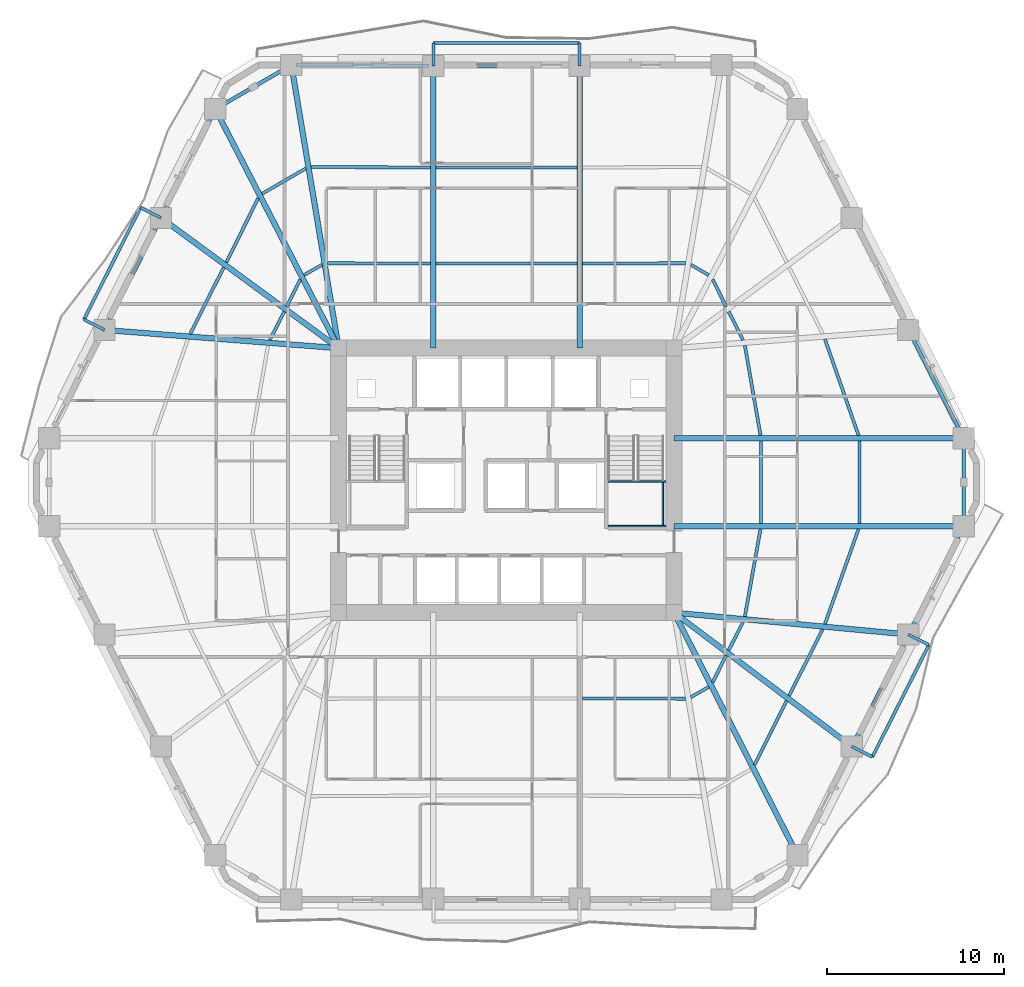
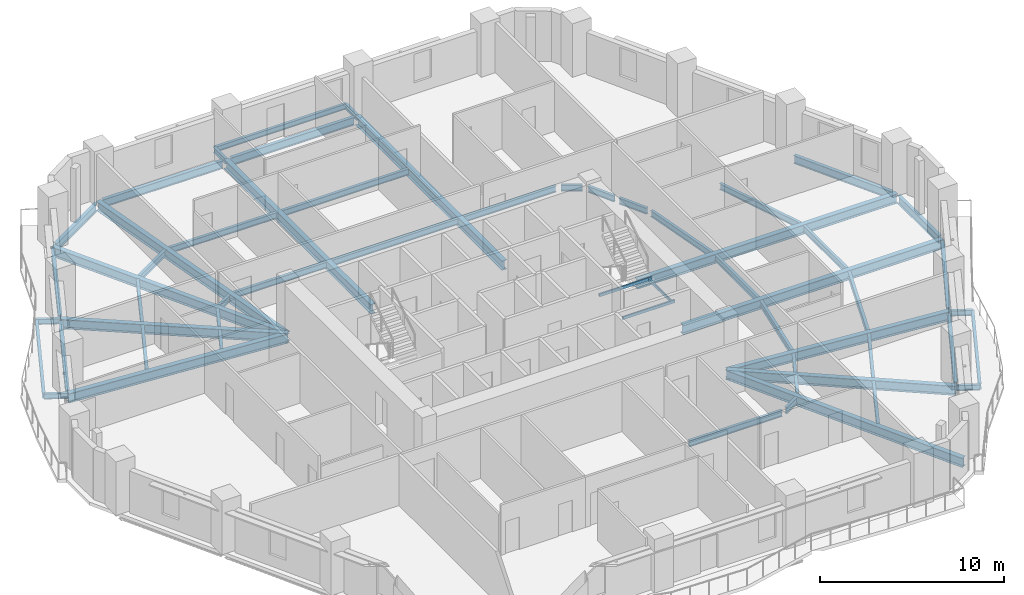
# One storey, part 2 of 14: 58 beams.
"""IFC4 building model written with IfcOpenShell, lengths in metres."""

from ifc_helpers import new_model, si_unit, direction, frame, origin, origin_2d, place, context, subcontext, project, spatial, hollow_rectangle, i_section, extrude, material, material_profile, profile_set, type_object, element, save


model = new_model("IFC4")

# Units and contexts
model_context = context("Model", 3, precision=1e-05, world=origin(), true_north=direction((0.0, 1.0)))
body_context = subcontext(model_context, "Body", "Model", "MODEL_VIEW")
ifc_project = project(units=[si_unit("LENGTHUNIT", "METRE"), si_unit("AREAUNIT", "SQUARE_METRE"), si_unit("VOLUMEUNIT", "CUBIC_METRE"), si_unit("PLANEANGLEUNIT", "RADIAN"), si_unit("MASSUNIT", "GRAM", prefix="KILO")], contexts=[model_context])

# Site, building, storey
site_placement = place(None, origin())
site = spatial("IfcSite", under=ifc_project, at=site_placement, CompositionType="ELEMENT")
building_placement = place(site_placement, origin())
building = spatial("IfcBuilding", under=site, at=building_placement, Name="Cinnabar Lancet Tower", CompositionType="ELEMENT")
storey_placement = place(building_placement, frame((0.0, 0.0, 53.300048828125)))
storey = spatial("IfcBuildingStorey", under=building, at=storey_placement, Name="L13", CompositionType="ELEMENT", Elevation=53.300048828125)

# Beams
ifc_material_1 = material(Name="Structural steel S355", Category="steel")
ifc_material_profile_1 = material_profile(ifc_material_1, i_section(OverallWidth=0.177978515625, OverallDepth=0.406494140625, WebThickness=0.0078125, FlangeThickness=0.0126953125, FilletRadius=0.01025390625, at=origin_2d()), Name="UKB 406x178x60")
ifc_profile_set_1 = profile_set([ifc_material_profile_1], Name="Structural steel S355")
beam_type_1 = type_object("IfcBeamType", Name="STR-BM-JST-406", PredefinedType="JOIST", material=ifc_profile_set_1)
beam_1_placement = place(storey_placement, frame((36.676025390625, 13.616943359375, -0.423095703125), z_axis=(0.999996723732, -0.002559790187, 0.0), x_axis=(0.002559790187, 0.999996723732, 0.0)))
element("IfcBeam", 1, at=beam_1_placement, inside=storey, type_object=beam_type_1, Name="L13 Secondary Floor Joist 14", PredefinedType="JOIST", context=body_context, shape_type="SweptSolid", body=[
    extrude(i_section(OverallWidth=0.177978515625, OverallDepth=0.406494140625, WebThickness=0.0078125, FlangeThickness=0.0126953125, FilletRadius=0.01025390625, at=origin_2d()), origin(), (0.0, 0.0, 1.0), 5.81787109375),
])
beam_2_placement = place(storey_placement, frame((42.7919921875, 13.68408203125, -0.423095703125), z_axis=(0.865192550274, 0.50143977799, 0.0), x_axis=(-0.50143977799, 0.865192550274, 0.0)))
element("IfcBeam", 2, at=beam_2_placement, inside=storey, type_object=beam_type_1, Name="L13 Secondary Floor Joist 16", PredefinedType="JOIST", context=body_context, shape_type="SweptSolid", body=[
    extrude(i_section(OverallWidth=0.177978515625, OverallDepth=0.406494140625, WebThickness=0.0078125, FlangeThickness=0.0126953125, FilletRadius=0.01025390625, at=origin_2d()), origin(), (0.0, 0.0, 1.0), 1.16845703125),
])
beam_3_placement = place(storey_placement, frame((46.385009765625, 9.867919921875, -0.423095703125), z_axis=(0.445835127839, 0.895115098065, 0.0), x_axis=(-0.895115098065, 0.445835127839, 0.0)))
element("IfcBeam", 3, at=beam_3_placement, inside=storey, type_object=beam_type_1, Name="L13 Secondary Floor Joist 17", PredefinedType="JOIST", context=body_context, shape_type="SweptSolid", body=[
    extrude(i_section(OverallWidth=0.177978515625, OverallDepth=0.406494140625, WebThickness=0.0078125, FlangeThickness=0.0126953125, FilletRadius=0.01025390625, at=origin_2d()), origin(), (0.0, 0.0, 1.0), 4.03955078125),
])
beam_4_placement = place(storey_placement, frame((44.02099609375, 14.51806640625, -0.423095703125), z_axis=(0.44578468599, 0.895140220154, 0.0), x_axis=(-0.895140220154, 0.44578468599, 0.0)))
element("IfcBeam", 4, at=beam_4_placement, inside=storey, type_object=beam_type_1, Name="L13 Secondary Floor Joist 18", PredefinedType="JOIST", context=body_context, shape_type="SweptSolid", body=[
    extrude(i_section(OverallWidth=0.177978515625, OverallDepth=0.406494140625, WebThickness=0.0078125, FlangeThickness=0.0126953125, FilletRadius=0.01025390625, at=origin_2d()), origin(), (0.0, 0.0, 1.0), 1.709228515625),
])
beam_5_placement = place(storey_placement, frame((48.325927734375, 13.762939453125, -0.423095703125), z_axis=(0.450717414682, 0.892666685893, 0.0), x_axis=(-0.892666685893, 0.450717414682, 0.0)))
element("IfcBeam", 5, at=beam_5_placement, inside=storey, type_object=beam_type_1, Name="L13 Secondary Floor Joist 19", PredefinedType="JOIST", context=body_context, shape_type="SweptSolid", body=[
    extrude(i_section(OverallWidth=0.177978515625, OverallDepth=0.406494140625, WebThickness=0.0078125, FlangeThickness=0.0126953125, FilletRadius=0.01025390625, at=origin_2d()), origin(), (0.0, 0.0, 1.0), 4.204345703125),
])
beam_6_placement = place(storey_placement, frame((44.923095703125, 16.326904296875, -0.423095703125), z_axis=(0.450411488104, 0.892821085875, 0.0), x_axis=(-0.892821085875, 0.450411488104, 0.0)))
element("IfcBeam", 6, at=beam_6_placement, inside=storey, type_object=beam_type_1, Name="L13 Secondary Floor Joist 20", PredefinedType="JOIST", context=body_context, shape_type="SweptSolid", body=[
    extrude(i_section(OverallWidth=0.177978515625, OverallDepth=0.406494140625, WebThickness=0.0078125, FlangeThickness=0.0126953125, FilletRadius=0.01025390625, at=origin_2d()), origin(), (0.0, 0.0, 1.0), 1.800048828125),
])
beam_7_placement = place(storey_placement, frame((50.347900390625, 17.81201171875, -0.423095703125), z_axis=(0.333387390151, 0.942789927867, 0.0), x_axis=(-0.942789927867, 0.333387390151, 0.0)))
element("IfcBeam", 7, at=beam_7_placement, inside=storey, type_object=beam_type_1, Name="L13 Secondary Floor Joist 21", PredefinedType="JOIST", context=body_context, shape_type="SweptSolid", body=[
    extrude(i_section(OverallWidth=0.177978515625, OverallDepth=0.406494140625, WebThickness=0.0078125, FlangeThickness=0.0126953125, FilletRadius=0.01025390625, at=origin_2d()), origin(), (0.0, 0.0, 1.0), 5.67236328125),
])
beam_8_placement = place(storey_placement, frame((45.8359375, 18.23291015625, -0.423095703125), z_axis=(0.176227857104, 0.984349400559, 0.0), x_axis=(-0.984349400559, 0.176227857104, 0.0)))
element("IfcBeam", 8, at=beam_8_placement, inside=storey, type_object=beam_type_1, Name="L13 Secondary Floor Joist 22", PredefinedType="JOIST", context=body_context, shape_type="SweptSolid", body=[
    extrude(i_section(OverallWidth=0.177978515625, OverallDepth=0.406494140625, WebThickness=0.0078125, FlangeThickness=0.0126953125, FilletRadius=0.01025390625, at=origin_2d()), origin(), (0.0, 0.0, 1.0), 5.00537109375),
])
for number, where, z_axis, x_axis, name in (
    (9, (52.2939453125, 23.468017578125, -0.423095703125), (0.0, 1.0, 0.0), (-1.0, 0.0, 0.0), "L13 Secondary Floor Joist 23"),
    (10, (46.7451171875, 23.468017578125, -0.423095703125), (0.0, 1.0, 0.0), (-1.0, 0.0, 0.0), "L13 Secondary Floor Joist 24"),
):
    element("IfcBeam", number, at=place(storey_placement, frame(where, z_axis=z_axis, x_axis=x_axis)), inside=storey, type_object=beam_type_1, Name=name, PredefinedType="JOIST", context=body_context, shape_type="SweptSolid", body=[
        extrude(i_section(OverallWidth=0.177978515625, OverallDepth=0.406494140625, WebThickness=0.0078125, FlangeThickness=0.0126953125, FilletRadius=0.01025390625, at=origin_2d()), origin(), (0.0, 0.0, 1.0), 4.6640625),
    ])
beam_9_placement = place(storey_placement, frame((52.239990234375, 28.43994140625, -0.423095703125), z_axis=(-0.329645522599, 0.944104776723, 0.0), x_axis=(-0.944104776723, -0.329645522599, 0.0)))
element("IfcBeam", 11, at=beam_9_placement, inside=storey, type_object=beam_type_1, Name="L13 Secondary Floor Joist 25", PredefinedType="JOIST", context=body_context, shape_type="SweptSolid", body=[
    extrude(i_section(OverallWidth=0.177978515625, OverallDepth=0.406494140625, WebThickness=0.0078125, FlangeThickness=0.0126953125, FilletRadius=0.01025390625, at=origin_2d()), origin(), (0.0, 0.0, 1.0), 5.73974609375),
])
beam_10_placement = place(storey_placement, frame((46.718994140625, 28.43994140625, -0.423095703125), z_axis=(-0.171867959611, 0.985119994954, 0.0), x_axis=(-0.985119994954, -0.171867959611, 0.0)))
element("IfcBeam", 12, at=beam_10_placement, inside=storey, type_object=beam_type_1, Name="L13 Secondary Floor Joist 26", PredefinedType="JOIST", context=body_context, shape_type="SweptSolid", body=[
    extrude(i_section(OverallWidth=0.177978515625, OverallDepth=0.406494140625, WebThickness=0.0078125, FlangeThickness=0.0126953125, FilletRadius=0.01025390625, at=origin_2d()), origin(), (0.0, 0.0, 1.0), 5.1435546875),
])
beam_11_placement = place(storey_placement, frame((45.73388671875, 33.806884765625, -0.423095703125), z_axis=(-0.450629740029, 0.892710948405, 0.0), x_axis=(-0.892710948405, -0.450629740029, 0.0)))
element("IfcBeam", 13, at=beam_11_placement, inside=storey, type_object=beam_type_1, Name="L13 Secondary Floor Joist 28", PredefinedType="JOIST", context=body_context, shape_type="SweptSolid", body=[
    extrude(i_section(OverallWidth=0.177978515625, OverallDepth=0.406494140625, WebThickness=0.0078125, FlangeThickness=0.0126953125, FilletRadius=0.01025390625, at=origin_2d()), origin(), (0.0, 0.0, 1.0), 1.79931640625),
])
beam_12_placement = place(storey_placement, frame((44.782958984375, 35.69189453125, -0.423095703125), z_axis=(-0.445556802404, 0.895253671219, 0.0), x_axis=(-0.895253671219, -0.445556802404, 0.0)))
element("IfcBeam", 14, at=beam_12_placement, inside=storey, type_object=beam_type_1, Name="L13 Secondary Floor Joist 30", PredefinedType="JOIST", context=body_context, shape_type="SweptSolid", body=[
    extrude(i_section(OverallWidth=0.177978515625, OverallDepth=0.406494140625, WebThickness=0.0078125, FlangeThickness=0.0126953125, FilletRadius=0.01025390625, at=origin_2d()), origin(), (0.0, 0.0, 1.0), 1.710205078125),
])
beam_13_placement = place(storey_placement, frame((43.802978515625, 37.469970703125, -0.423095703125), z_axis=(-0.865192550274, 0.50143977799, 0.0), x_axis=(-0.50143977799, -0.865192550274, 0.0)))
element("IfcBeam", 15, at=beam_13_placement, inside=storey, type_object=beam_type_1, Name="L13 Secondary Floor Joist 32", PredefinedType="JOIST", context=body_context, shape_type="SweptSolid", body=[
    extrude(i_section(OverallWidth=0.177978515625, OverallDepth=0.406494140625, WebThickness=0.0078125, FlangeThickness=0.0126953125, FilletRadius=0.01025390625, at=origin_2d()), origin(), (0.0, 0.0, 1.0), 1.16845703125),
])
beam_14_placement = place(storey_placement, frame((42.493896484375, 38.137939453125, -0.423095703125), z_axis=(-0.999996723732, -0.002559790187, 0.0), x_axis=(0.002559790187, -0.999996723732, 0.0)))
element("IfcBeam", 16, at=beam_14_placement, inside=storey, type_object=beam_type_1, Name="L13 Secondary Floor Joist 34", PredefinedType="JOIST", context=body_context, shape_type="SweptSolid", body=[
    extrude(i_section(OverallWidth=0.177978515625, OverallDepth=0.406494140625, WebThickness=0.0078125, FlangeThickness=0.0126953125, FilletRadius=0.01025390625, at=origin_2d()), origin(), (0.0, 0.0, 1.0), 5.81787109375),
])
for number, where, z_axis, x_axis, name in (
    (17, (36.367919921875, 43.531005859375, -0.423095703125), (-1.0, 0.0, 0.0), (0.0, -1.0, 0.0), "L13 Secondary Floor Joist 35"),
    (18, (36.367919921875, 38.1220703125, -0.423095703125), (-1.0, 0.0, 0.0), (0.0, -1.0, 0.0), "L13 Secondary Floor Joist 36"),
):
    element("IfcBeam", number, at=place(storey_placement, frame(where, z_axis=z_axis, x_axis=x_axis)), inside=storey, type_object=beam_type_1, Name=name, PredefinedType="JOIST", context=body_context, shape_type="SweptSolid", body=[
        extrude(i_section(OverallWidth=0.177978515625, OverallDepth=0.406494140625, WebThickness=0.0078125, FlangeThickness=0.0126953125, FilletRadius=0.01025390625, at=origin_2d()), origin(), (0.0, 0.0, 1.0), 7.93603515625),
    ])
beam_15_placement = place(storey_placement, frame((28.1240234375, 43.531982421875, -0.423095703125), z_axis=(-0.999988691939, 0.004755627628, 0.0), x_axis=(-0.004755627628, -0.999988691939, 0.0)))
element("IfcBeam", 19, at=beam_15_placement, inside=storey, type_object=beam_type_1, Name="L13 Secondary Floor Joist 37", PredefinedType="JOIST", context=body_context, shape_type="SweptSolid", body=[
    extrude(i_section(OverallWidth=0.177978515625, OverallDepth=0.406494140625, WebThickness=0.0078125, FlangeThickness=0.0126953125, FilletRadius=0.01025390625, at=origin_2d()), origin(), (0.0, 0.0, 1.0), 6.72509765625),
])
beam_16_placement = place(storey_placement, frame((28.1240234375, 38.123046875, -0.423095703125), z_axis=(-0.999996724007, 0.002559682773, 0.0), x_axis=(-0.002559682773, -0.999996724007, 0.0)))
element("IfcBeam", 20, at=beam_16_placement, inside=storey, type_object=beam_type_1, Name="L13 Secondary Floor Joist 38", PredefinedType="JOIST", context=body_context, shape_type="SweptSolid", body=[
    extrude(i_section(OverallWidth=0.177978515625, OverallDepth=0.406494140625, WebThickness=0.0078125, FlangeThickness=0.0126953125, FilletRadius=0.01025390625, at=origin_2d()), origin(), (0.0, 0.0, 1.0), 5.818115234375),
])
beam_17_placement = place(storey_placement, frame((21.10107421875, 43.48291015625, -0.423095703125), z_axis=(-0.865113631149, -0.50157592167, 0.0), x_axis=(0.50157592167, -0.865113631149, 0.0)))
element("IfcBeam", 21, at=beam_17_placement, inside=storey, type_object=beam_type_1, Name="L13 Secondary Floor Joist 39", PredefinedType="JOIST", context=body_context, shape_type="SweptSolid", body=[
    extrude(i_section(OverallWidth=0.177978515625, OverallDepth=0.406494140625, WebThickness=0.0078125, FlangeThickness=0.0126953125, FilletRadius=0.01025390625, at=origin_2d()), origin(), (0.0, 0.0, 1.0), 2.852783203125),
])
beam_18_placement = place(storey_placement, frame((22.008056640625, 38.055908203125, -0.423095703125), z_axis=(-0.865192550274, -0.50143977799, 0.0), x_axis=(0.50143977799, -0.865192550274, 0.0)))
element("IfcBeam", 22, at=beam_18_placement, inside=storey, type_object=beam_type_1, Name="L13 Secondary Floor Joist 40", PredefinedType="JOIST", context=body_context, shape_type="SweptSolid", body=[
    extrude(i_section(OverallWidth=0.177978515625, OverallDepth=0.406494140625, WebThickness=0.0078125, FlangeThickness=0.0126953125, FilletRadius=0.01025390625, at=origin_2d()), origin(), (0.0, 0.0, 1.0), 1.16845703125),
])
beam_19_placement = place(storey_placement, frame((18.4150390625, 41.804931640625, -0.423095703125), z_axis=(-0.445738672706, -0.895163133543, 0.0), x_axis=(0.895163133543, -0.445738672706, 0.0)))
element("IfcBeam", 23, at=beam_19_placement, inside=storey, type_object=beam_type_1, Name="L13 Secondary Floor Joist 41", PredefinedType="JOIST", context=body_context, shape_type="SweptSolid", body=[
    extrude(i_section(OverallWidth=0.177978515625, OverallDepth=0.406494140625, WebThickness=0.0078125, FlangeThickness=0.0126953125, FilletRadius=0.01025390625, at=origin_2d()), origin(), (0.0, 0.0, 1.0), 4.04052734375),
])
beam_20_placement = place(storey_placement, frame((20.779052734375, 37.222900390625, -0.423095703125), z_axis=(-0.445556802404, -0.895253671219, 0.0), x_axis=(0.895253671219, -0.445556802404, 0.0)))
element("IfcBeam", 24, at=beam_20_placement, inside=storey, type_object=beam_type_1, Name="L13 Secondary Floor Joist 42", PredefinedType="JOIST", context=body_context, shape_type="SweptSolid", body=[
    extrude(i_section(OverallWidth=0.177978515625, OverallDepth=0.406494140625, WebThickness=0.0078125, FlangeThickness=0.0126953125, FilletRadius=0.01025390625, at=origin_2d()), origin(), (0.0, 0.0, 1.0), 1.710205078125),
])
beam_21_placement = place(storey_placement, frame((16.47412109375, 37.908935546875, -0.423095703125), z_axis=(-0.450834254961, -0.89260768233, 0.0), x_axis=(0.89260768233, -0.450834254961, 0.0)))
element("IfcBeam", 25, at=beam_21_placement, inside=storey, type_object=beam_type_1, Name="L13 Secondary Floor Joist 43", PredefinedType="JOIST", context=body_context, shape_type="SweptSolid", body=[
    extrude(i_section(OverallWidth=0.177978515625, OverallDepth=0.406494140625, WebThickness=0.0078125, FlangeThickness=0.0126953125, FilletRadius=0.01025390625, at=origin_2d()), origin(), (0.0, 0.0, 1.0), 4.203369140625),
])
beam_22_placement = place(storey_placement, frame((19.876953125, 35.4130859375, -0.423095703125), z_axis=(-0.450737866707, -0.892656359142, 0.0), x_axis=(0.892656359142, -0.450737866707, 0.0)))
element("IfcBeam", 26, at=beam_22_placement, inside=storey, type_object=beam_type_1, Name="L13 Secondary Floor Joist 44", PredefinedType="JOIST", context=body_context, shape_type="SweptSolid", body=[
    extrude(i_section(OverallWidth=0.177978515625, OverallDepth=0.406494140625, WebThickness=0.0078125, FlangeThickness=0.0126953125, FilletRadius=0.01025390625, at=origin_2d()), origin(), (0.0, 0.0, 1.0), 1.79931640625),
])
ifc_material_2 = material(Name="Structural steel S355", Category="steel")
ifc_material_profile_2 = material_profile(ifc_material_2, hollow_rectangle(XDim=0.10009765625, YDim=0.199951171875, WallThickness=0.008056640625, InnerFilletRadius=0.00390625, OuterFilletRadius=0.011962890625, at=origin_2d()), Name="RHS 200x100x8")
ifc_profile_set_2 = profile_set([ifc_material_profile_2], Name="Structural steel S355")
beam_type_2 = type_object("IfcBeamType", Name="STR-BM-LND-203", PredefinedType="BEAM", material=ifc_profile_set_2)
for number, where, z_axis, x_axis, name in (
    (27, (38.1201171875, 23.330078125, 1.474853515625), (1.0, 0.0, 0.0), (0.0, 1.0, 0.0), "L13 ST-2-L13 Landing Support Beam S"),
    (28, (38.1201171875, 25.844970703125, 1.474853515625), (1.0, 0.0, 0.0), (0.0, 1.0, 0.0), "L13 ST-2-L13 Landing Support Beam N"),
):
    element("IfcBeam", number, at=place(storey_placement, frame(where, z_axis=z_axis, x_axis=x_axis)), inside=storey, type_object=beam_type_2, Name=name, PredefinedType="BEAM", context=body_context, shape_type="SweptSolid", body=[
        extrude(hollow_rectangle(XDim=0.10009765625, YDim=0.199951171875, WallThickness=0.008056640625, InnerFilletRadius=0.00390625, OuterFilletRadius=0.011962890625, at=origin_2d()), origin(), (0.0, 0.0, 1.0), 3.27978515625),
    ])
beam_23_placement = place(storey_placement, frame((41.219970703125, 23.3798828125, 1.474853515625), z_axis=(0.0, 1.0, 0.0), x_axis=(-1.0, 0.0, 0.0)))
element("IfcBeam", 29, at=beam_23_placement, inside=storey, type_object=beam_type_2, Name="L13 ST-2-L13 Landing Side Trimmer Beam", PredefinedType="BEAM", context=body_context, shape_type="SweptSolid", body=[
    extrude(hollow_rectangle(XDim=0.10009765625, YDim=0.199951171875, WallThickness=0.008056640625, InnerFilletRadius=0.00390625, OuterFilletRadius=0.011962890625, at=origin_2d()), origin(), (0.0, 0.0, 1.0), 2.4150390625),
])
ifc_material_3 = material(Name="Structural steel S355", Category="steel")
ifc_material_profile_3 = material_profile(ifc_material_3, i_section(OverallWidth=0.209228515625, OverallDepth=0.533203125, WebThickness=0.010009765625, FlangeThickness=0.015625, FilletRadius=0.0126953125, at=origin_2d()), Name="UKB 533x210x92")
ifc_profile_set_3 = profile_set([ifc_material_profile_3], Name="Structural steel S355")
beam_type_3 = type_object("IfcBeamType", Name="STR-BM-SPN-533", PredefinedType="SPANDREL", material=ifc_profile_set_3)
beam_24_placement = place(storey_placement, frame((51.971923828125, 11.132080078125, -0.487060546875), z_axis=(0.450703143926, 0.892673891214, 0.0), x_axis=(-0.892673891214, 0.450703143926, 0.0)))
element("IfcBeam", 30, at=beam_24_placement, inside=storey, type_object=beam_type_3, Name="L13 Perimeter Spandrel 6", PredefinedType="SPANDREL", context=body_context, shape_type="SweptSolid", body=[
    extrude(i_section(OverallWidth=0.209228515625, OverallDepth=0.533203125, WebThickness=0.010009765625, FlangeThickness=0.015625, FilletRadius=0.0126953125, at=origin_2d()), origin(), (0.0, 0.0, 1.0), 6.570068359375),
])
beam_25_placement = place(storey_placement, frame((55.159912109375, 17.443115234375, -0.487060546875), z_axis=(0.456024522632, 0.889967209934, 0.0), x_axis=(-0.889967209934, 0.456024522632, 0.0)))
element("IfcBeam", 31, at=beam_25_placement, inside=storey, type_object=beam_type_3, Name="L13 Perimeter Spandrel 7", PredefinedType="SPANDREL", context=body_context, shape_type="SweptSolid", body=[
    extrude(i_section(OverallWidth=0.209228515625, OverallDepth=0.533203125, WebThickness=0.010009765625, FlangeThickness=0.015625, FilletRadius=0.0126953125, at=origin_2d()), origin(), (0.0, 0.0, 1.0), 6.34619140625),
])
beam_26_placement = place(storey_placement, frame((58.16796875, 23.56396484375, -0.487060546875), z_axis=(0.0, 1.0, 0.0), x_axis=(-1.0, 0.0, 0.0)))
element("IfcBeam", 32, at=beam_26_placement, inside=storey, type_object=beam_type_3, Name="L13 Perimeter Spandrel 8", PredefinedType="SPANDREL", context=body_context, shape_type="SweptSolid", body=[
    extrude(i_section(OverallWidth=0.209228515625, OverallDepth=0.533203125, WebThickness=0.010009765625, FlangeThickness=0.015625, FilletRadius=0.0126953125, at=origin_2d()), origin(), (0.0, 0.0, 1.0), 4.471923828125),
])
beam_27_placement = place(storey_placement, frame((58.053955078125, 28.509033203125, -0.487060546875), z_axis=(-0.456024522632, 0.889967209934, 0.0), x_axis=(-0.889967209934, -0.456024522632, 0.0)))
element("IfcBeam", 33, at=beam_27_placement, inside=storey, type_object=beam_type_3, Name="L13 Perimeter Spandrel 9", PredefinedType="SPANDREL", context=body_context, shape_type="SweptSolid", body=[
    extrude(i_section(OverallWidth=0.209228515625, OverallDepth=0.533203125, WebThickness=0.010009765625, FlangeThickness=0.015625, FilletRadius=0.0126953125, at=origin_2d()), origin(), (0.0, 0.0, 1.0), 6.34619140625),
])
beam_28_placement = place(storey_placement, frame((36.27197265625, 49.258056640625, -0.487060546875), z_axis=(-1.0, 0.0, 0.0), x_axis=(0.0, -1.0, 0.0)))
element("IfcBeam", 34, at=beam_28_placement, inside=storey, type_object=beam_type_3, Name="L13 Perimeter Spandrel 14", PredefinedType="SPANDREL", context=body_context, shape_type="SweptSolid", body=[
    extrude(i_section(OverallWidth=0.209228515625, OverallDepth=0.533203125, WebThickness=0.010009765625, FlangeThickness=0.015625, FilletRadius=0.0126953125, at=origin_2d()), origin(), (0.0, 0.0, 1.0), 7.743896484375),
])
beam_29_placement = place(storey_placement, frame((28.028076171875, 49.260009765625, -0.487060546875), z_axis=(-0.99997856757, 0.006547090947, 0.0), x_axis=(-0.006547090947, -0.99997856757, 0.0)))
element("IfcBeam", 35, at=beam_29_placement, inside=storey, type_object=beam_type_3, Name="L13 Perimeter Spandrel 15", PredefinedType="SPANDREL", context=body_context, shape_type="SweptSolid", body=[
    extrude(i_section(OverallWidth=0.209228515625, OverallDepth=0.533203125, WebThickness=0.010009765625, FlangeThickness=0.015625, FilletRadius=0.0126953125, at=origin_2d()), origin(), (0.0, 0.0, 1.0), 7.495361328125),
])
beam_30_placement = place(storey_placement, frame((20.06689453125, 49.18603515625, -0.487060546875), z_axis=(-0.865147238596, -0.501517951374, 0.0), x_axis=(0.501517951374, -0.865147238596, 0.0)))
element("IfcBeam", 36, at=beam_30_placement, inside=storey, type_object=beam_type_3, Name="L13 Perimeter Spandrel 16", PredefinedType="SPANDREL", context=body_context, shape_type="SweptSolid", body=[
    extrude(i_section(OverallWidth=0.209228515625, OverallDepth=0.533203125, WebThickness=0.010009765625, FlangeThickness=0.015625, FilletRadius=0.0126953125, at=origin_2d()), origin(), (0.0, 0.0, 1.0), 4.454833984375),
])
beam_31_placement = place(storey_placement, frame((15.885986328125, 46.60302734375, -0.487060546875), z_axis=(-0.445953050023, -0.89505635419, 0.0), x_axis=(0.89505635419, -0.445953050023, 0.0)))
element("IfcBeam", 37, at=beam_31_placement, inside=storey, type_object=beam_type_3, Name="L13 Perimeter Spandrel 17", PredefinedType="SPANDREL", context=body_context, shape_type="SweptSolid", body=[
    extrude(i_section(OverallWidth=0.209228515625, OverallDepth=0.533203125, WebThickness=0.010009765625, FlangeThickness=0.015625, FilletRadius=0.0126953125, at=origin_2d()), origin(), (0.0, 0.0, 1.0), 6.35498046875),
])
beam_32_placement = place(storey_placement, frame((12.827880859375, 40.468017578125, -0.487060546875), z_axis=(-0.450673532306, -0.892688841242, 0.0), x_axis=(0.892688841242, -0.450673532306, 0.0)))
element("IfcBeam", 38, at=beam_32_placement, inside=storey, type_object=beam_type_3, Name="L13 Perimeter Spandrel 18", PredefinedType="SPANDREL", context=body_context, shape_type="SweptSolid", body=[
    extrude(i_section(OverallWidth=0.209228515625, OverallDepth=0.533203125, WebThickness=0.010009765625, FlangeThickness=0.015625, FilletRadius=0.0126953125, at=origin_2d()), origin(), (0.0, 0.0, 1.0), 6.570068359375),
])
ifc_material_4 = material(Name="Structural steel S355", Category="steel")
ifc_material_profile_4 = material_profile(ifc_material_4, i_section(OverallWidth=0.30712890625, OverallDepth=0.6201171875, WebThickness=0.01416015625, FlangeThickness=0.023681640625, FilletRadius=0.0166015625, at=origin_2d()), Name="UKB 610x305x179")
ifc_profile_set_4 = profile_set([ifc_material_profile_4], Name="Structural steel S355")
beam_type_4 = type_object("IfcBeamType", Name="STR-BM-UKB610-179", PredefinedType="BEAM", material=ifc_profile_set_4)
beam_33_placement = place(storey_placement, frame((51.85888671875, 10.908935546875, -0.530029296875), z_axis=(-0.798679534026, 0.601756596912, 0.0), x_axis=(-0.601756596912, -0.798679534026, 0.0)))
element("IfcBeam", 39, at=beam_33_placement, inside=storey, type_object=beam_type_4, Name="L13 Corner Collector Girder 2", PredefinedType="BEAM", context=body_context, shape_type="SweptSolid", body=[
    extrude(i_section(OverallWidth=0.30712890625, OverallDepth=0.6201171875, WebThickness=0.01416015625, FlangeThickness=0.023681640625, FilletRadius=0.0166015625, at=origin_2d()), origin(), (0.0, 0.0, 1.0), 12.53173828125),
])
beam_34_placement = place(storey_placement, frame((12.94091796875, 40.69091796875, -0.530029296875), z_axis=(0.806371852816, -0.591408856026, 0.0), x_axis=(0.591408856026, 0.806371852816, 0.0)))
element("IfcBeam", 40, at=beam_34_placement, inside=storey, type_object=beam_type_4, Name="L13 Corner Collector Girder 4", PredefinedType="BEAM", context=body_context, shape_type="SweptSolid", body=[
    extrude(i_section(OverallWidth=0.30712890625, OverallDepth=0.6201171875, WebThickness=0.01416015625, FlangeThickness=0.023681640625, FilletRadius=0.0166015625, at=origin_2d()), origin(), (0.0, 0.0, 1.0), 12.412353515625),
])
beam_35_placement = place(storey_placement, frame((48.802978515625, 4.77294921875, -0.530029296875), z_axis=(-0.453167599586, 0.89142533433, 0.0), x_axis=(-0.89142533433, -0.453167599586, 0.0)))
element("IfcBeam", 41, at=beam_35_placement, inside=storey, type_object=beam_type_4, Name="L13 Primary Floor Girder 5", PredefinedType="BEAM", context=body_context, shape_type="SweptSolid", body=[
    extrude(i_section(OverallWidth=0.30712890625, OverallDepth=0.6201171875, WebThickness=0.01416015625, FlangeThickness=0.023681640625, FilletRadius=0.0166015625, at=origin_2d()), origin(), (0.0, 0.0, 1.0), 15.3427734375),
])
beam_36_placement = place(storey_placement, frame((55.0458984375, 17.219970703125, -0.530029296875), z_axis=(-0.99568405159, 0.092807701238, 0.0), x_axis=(-0.092807701238, -0.99568405159, 0.0)))
element("IfcBeam", 42, at=beam_36_placement, inside=storey, type_object=beam_type_4, Name="L13 Primary Floor Girder 7", PredefinedType="BEAM", context=body_context, shape_type="SweptSolid", body=[
    extrude(i_section(OverallWidth=0.30712890625, OverallDepth=0.6201171875, WebThickness=0.01416015625, FlangeThickness=0.023681640625, FilletRadius=0.0166015625, at=origin_2d()), origin(), (0.0, 0.0, 1.0), 13.2529296875),
])
for number, where, z_axis, x_axis, name in (
    (43, (58.16796875, 23.31396484375, -0.530029296875), (-1.0, 0.0, 0.0), (0.0, -1.0, 0.0), "L13 Primary Floor Girder 8"),
    (44, (58.16796875, 28.285888671875, -0.530029296875), (-1.0, 0.0, 0.0), (0.0, -1.0, 0.0), "L13 Primary Floor Girder 9"),
):
    element("IfcBeam", number, at=place(storey_placement, frame(where, z_axis=z_axis, x_axis=x_axis)), inside=storey, type_object=beam_type_4, Name=name, PredefinedType="BEAM", context=body_context, shape_type="SweptSolid", body=[
        extrude(i_section(OverallWidth=0.30712890625, OverallDepth=0.6201171875, WebThickness=0.01416015625, FlangeThickness=0.023681640625, FilletRadius=0.0166015625, at=origin_2d()), origin(), (0.0, 0.0, 1.0), 16.31787109375),
    ])
for number, where, z_axis, x_axis, name in (
    (45, (36.52197265625, 49.258056640625, -0.530029296875), (0.0, -1.0, 0.0), (1.0, 0.0, 0.0), "L13 Primary Floor Girder 14"),
    (46, (28.278076171875, 49.258056640625, -0.530029296875), (0.0, -1.0, 0.0), (1.0, 0.0, 0.0), "L13 Primary Floor Girder 15"),
):
    element("IfcBeam", number, at=place(storey_placement, frame(where, z_axis=z_axis, x_axis=x_axis)), inside=storey, type_object=beam_type_4, Name=name, PredefinedType="BEAM", context=body_context, shape_type="SweptSolid", body=[
        extrude(i_section(OverallWidth=0.30712890625, OverallDepth=0.6201171875, WebThickness=0.01416015625, FlangeThickness=0.023681640625, FilletRadius=0.0166015625, at=origin_2d()), origin(), (0.0, 0.0, 1.0), 15.907958984375),
    ])
beam_37_placement = place(storey_placement, frame((20.282958984375, 49.31103515625, -0.530029296875), z_axis=(0.164809990854, -0.986325335229, 0.0), x_axis=(0.986325335229, 0.164809990854, 0.0)))
element("IfcBeam", 47, at=beam_37_placement, inside=storey, type_object=beam_type_4, Name="L13 Primary Floor Girder 16", PredefinedType="BEAM", context=body_context, shape_type="SweptSolid", body=[
    extrude(i_section(OverallWidth=0.30712890625, OverallDepth=0.6201171875, WebThickness=0.01416015625, FlangeThickness=0.023681640625, FilletRadius=0.0166015625, at=origin_2d()), origin(), (0.0, 0.0, 1.0), 16.18212890625),
])
beam_38_placement = place(storey_placement, frame((15.9970703125, 46.826904296875, -0.530029296875), z_axis=(0.458492410387, -0.888698323177, 0.0), x_axis=(0.888698323177, 0.458492410387, 0.0)))
element("IfcBeam", 48, at=beam_38_placement, inside=storey, type_object=beam_type_4, Name="L13 Primary Floor Girder 17", PredefinedType="BEAM", context=body_context, shape_type="SweptSolid", body=[
    extrude(i_section(OverallWidth=0.30712890625, OverallDepth=0.6201171875, WebThickness=0.01416015625, FlangeThickness=0.023681640625, FilletRadius=0.0166015625, at=origin_2d()), origin(), (0.0, 0.0, 1.0), 15.16455078125),
])
beam_39_placement = place(storey_placement, frame((9.75390625, 34.3798828125, -0.530029296875), z_axis=(0.99696891848, -0.077800871365, 0.0), x_axis=(0.077800871365, 0.99696891848, 0.0)))
element("IfcBeam", 49, at=beam_39_placement, inside=storey, type_object=beam_type_4, Name="L13 Primary Floor Girder 19", PredefinedType="BEAM", context=body_context, shape_type="SweptSolid", body=[
    extrude(i_section(OverallWidth=0.30712890625, OverallDepth=0.6201171875, WebThickness=0.01416015625, FlangeThickness=0.023681640625, FilletRadius=0.0166015625, at=origin_2d()), origin(), (0.0, 0.0, 1.0), 13.236083984375),
])
ifc_material_5 = material(Name="Structural steel S355", Category="steel")
ifc_material_profile_5 = material_profile(ifc_material_5, i_section(OverallWidth=0.17138671875, OverallDepth=0.35498046875, WebThickness=0.00732421875, FlangeThickness=0.011474609375, FilletRadius=0.01025390625, at=origin_2d()), Name="UKB 356x171x51")
ifc_profile_set_5 = profile_set([ifc_material_profile_5], Name="Structural steel S355")
beam_type_5 = type_object("IfcBeamType", Name="STR-BM-WAV-OUT", PredefinedType="BEAM", material=ifc_profile_set_5)
for number, where, z_axis, x_axis, name in (
    (50, (51.85888671875, 10.908935546875, -0.39794921875), (0.892314203325, -0.451414845285, 0.0), (0.451414845285, 0.892314203325, 0.0), "L13 Face 2 Balcony Outlooker A"),
    (51, (55.0458984375, 17.219970703125, -0.39794921875), (0.892314203325, -0.451414845285, 0.0), (0.451414845285, 0.892314203325, 0.0), "L13 Face 2 Balcony Outlooker B"),
    (52, (36.52197265625, 49.258056640625, -0.39794921875), (0.0, 1.0, 0.0), (-1.0, 0.0, 0.0), "L13 Face 4 Balcony Outlooker A"),
    (53, (28.278076171875, 49.258056640625, -0.39794921875), (0.0, 1.0, 0.0), (-1.0, 0.0, 0.0), "L13 Face 4 Balcony Outlooker B"),
    (54, (12.94091796875, 40.69091796875, -0.39794921875), (-0.892200264127, 0.451639998995, 0.0), (-0.451639998995, -0.892200264127, 0.0), "L13 Face 5 Balcony Outlooker A"),
    (55, (9.75390625, 34.3798828125, -0.39794921875), (-0.892200264127, 0.451639998995, 0.0), (-0.451639998995, -0.892200264127, 0.0), "L13 Face 5 Balcony Outlooker B"),
):
    element("IfcBeam", number, at=place(storey_placement, frame(where, z_axis=z_axis, x_axis=x_axis)), inside=storey, type_object=beam_type_5, Name=name, PredefinedType="BEAM", context=body_context, shape_type="SweptSolid", body=[
        extrude(i_section(OverallWidth=0.17138671875, OverallDepth=0.35498046875, WebThickness=0.00732421875, FlangeThickness=0.011474609375, FilletRadius=0.01025390625, at=origin_2d()), origin(), (0.0, 0.0, 1.0), 1.300048828125),
    ])
ifc_material_6 = material(Name="Structural steel S355", Category="steel")
ifc_material_profile_6 = material_profile(ifc_material_6, i_section(OverallWidth=0.17138671875, OverallDepth=0.35498046875, WebThickness=0.00732421875, FlangeThickness=0.011474609375, FilletRadius=0.01025390625, at=origin_2d()), Name="UKB 356x171x51")
ifc_profile_set_6 = profile_set([ifc_material_profile_6], Name="Structural steel S355")
beam_type_6 = type_object("IfcBeamType", Name="STR-BM-WAV-TRIM", PredefinedType="SPANDREL", material=ifc_profile_set_6)
beam_40_placement = place(storey_placement, frame((53.01904296875, 10.322021484375, -0.39794921875), z_axis=(0.450773692627, 0.892638268301, 0.0), x_axis=(-0.892638268301, 0.450773692627, 0.0)))
element("IfcBeam", 56, at=beam_40_placement, inside=storey, type_object=beam_type_6, Name="L13 Face 2 Balcony Edge Trimmer", PredefinedType="SPANDREL", context=body_context, shape_type="SweptSolid", body=[
    extrude(i_section(OverallWidth=0.17138671875, OverallDepth=0.35498046875, WebThickness=0.00732421875, FlangeThickness=0.011474609375, FilletRadius=0.01025390625, at=origin_2d()), origin(), (0.0, 0.0, 1.0), 7.070068359375),
])
beam_41_placement = place(storey_placement, frame((36.52197265625, 50.55810546875, -0.39794921875), z_axis=(-1.0, 0.0, 0.0), x_axis=(0.0, -1.0, 0.0)))
element("IfcBeam", 57, at=beam_41_placement, inside=storey, type_object=beam_type_6, Name="L13 Face 4 Balcony Edge Trimmer", PredefinedType="SPANDREL", context=body_context, shape_type="SweptSolid", body=[
    extrude(i_section(OverallWidth=0.17138671875, OverallDepth=0.35498046875, WebThickness=0.00732421875, FlangeThickness=0.011474609375, FilletRadius=0.01025390625, at=origin_2d()), origin(), (0.0, 0.0, 1.0), 8.243896484375),
])
beam_42_placement = place(storey_placement, frame((11.781005859375, 41.278076171875, -0.39794921875), z_axis=(-0.450773692627, -0.892638268301, 0.0), x_axis=(0.892638268301, -0.450773692627, 0.0)))
element("IfcBeam", 58, at=beam_42_placement, inside=storey, type_object=beam_type_6, Name="L13 Face 5 Balcony Edge Trimmer", PredefinedType="SPANDREL", context=body_context, shape_type="SweptSolid", body=[
    extrude(i_section(OverallWidth=0.17138671875, OverallDepth=0.35498046875, WebThickness=0.00732421875, FlangeThickness=0.011474609375, FilletRadius=0.01025390625, at=origin_2d()), origin(), (0.0, 0.0, 1.0), 7.070068359375),
])

save(model, "model.ifc")
